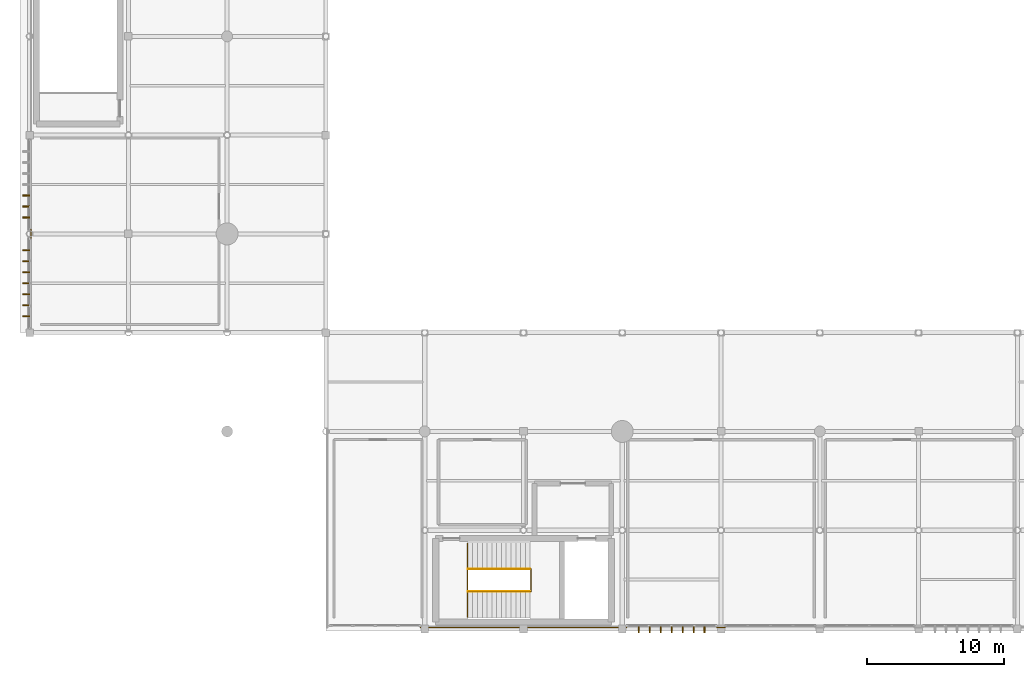
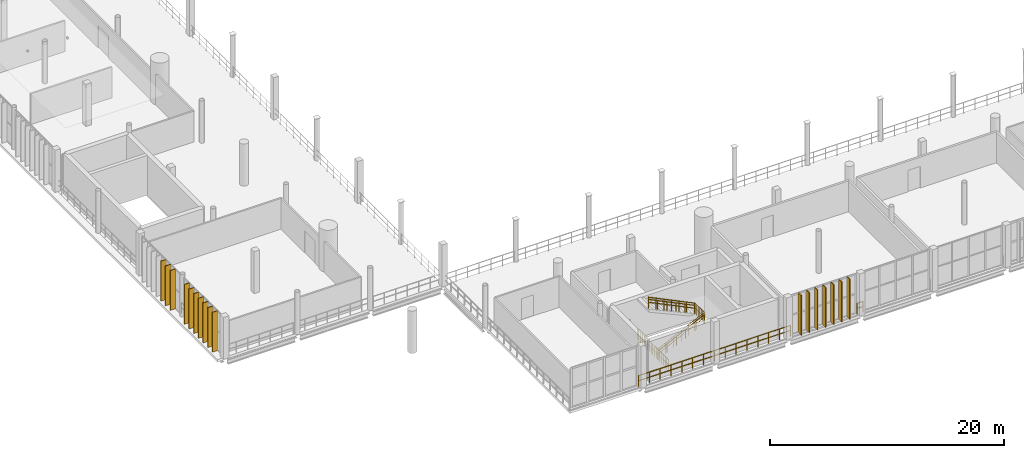
# One storey, part 67 of 81: 17 coverings, 9 railings.
"""IFC4 building model written with IfcOpenShell, lengths in metres."""

from ifc_helpers import new_model, si_unit, direction, frame, origin, origin_2d, place, context, subcontext, project, spatial, rectangle, circle, extrude, material, layer, layer_set, type_object, element, save


model = new_model("IFC4")

# Units and contexts
model_context = context("Model", 3, precision=1e-05, world=origin(), true_north=direction((0.0, 1.0)))
body_context = subcontext(model_context, "Body", "Model", "MODEL_VIEW")
ifc_project = project(units=[si_unit("LENGTHUNIT", "METRE"), si_unit("AREAUNIT", "SQUARE_METRE"), si_unit("VOLUMEUNIT", "CUBIC_METRE"), si_unit("PLANEANGLEUNIT", "RADIAN"), si_unit("MASSUNIT", "GRAM", prefix="KILO")], contexts=[model_context])

# Site, building, storey
site_placement = place(None, origin())
site = spatial("IfcSite", under=ifc_project, at=site_placement, CompositionType="ELEMENT")
building_placement = place(site_placement, origin())
building = spatial("IfcBuilding", under=site, at=building_placement, Name="Qandorah Velis Arena", CompositionType="ELEMENT")
storey_placement = place(building_placement, frame((0.0, 0.0, 18.60009765625)))
storey = spatial("IfcBuildingStorey", under=building, at=storey_placement, Name="L04", CompositionType="ELEMENT", Elevation=18.60009765625)

# Coverings
ifc_material_1 = material(Name="Champagne-bronze anodized aluminium 6063-T6", Category="aluminium")
ifc_layer = layer(ifc_material_1, 0.0849609375)
ifc_layer_set = layer_set([ifc_layer], Name="Champagne-bronze anodized aluminium 6063-T6")
covering_type = type_object("IfcCoveringType", Name="ARC-COV-FIN520", PredefinedType="CLADDING", material=ifc_layer_set)
for number, where, z_axis, x_axis, name in (
    (1, (-0.251953125, 22.800048828125, -0.010009765625), (0.0, 0.0, 1.0), (1.0, 0.0, 0.0), "Vertical champagne-bronze solar fin blade WNG-W-L04-03-001"),
    (2, (-0.251953125, 23.60009765625, -0.010009765625), (0.0, 0.0, 1.0), (1.0, 0.0, 0.0), "Vertical champagne-bronze solar fin blade WNG-W-L04-03-002"),
    (3, (-0.251953125, 24.39990234375, -0.010009765625), (0.0, 0.0, 1.0), (1.0, 0.0, 0.0), "Vertical champagne-bronze solar fin blade WNG-W-L04-03-003"),
    (4, (-0.251953125, 25.199951171875, -0.010009765625), (0.0, 0.0, 1.0), (1.0, 0.0, 0.0), "Vertical champagne-bronze solar fin blade WNG-W-L04-03-004"),
    (5, (-0.251953125, 26.0, -0.010009765625), (0.0, 0.0, 1.0), (1.0, 0.0, 0.0), "Vertical champagne-bronze solar fin blade WNG-W-L04-03-005"),
    (6, (-0.251953125, 26.800048828125, -0.010009765625), (0.0, 0.0, 1.0), (1.0, 0.0, 0.0), "Vertical champagne-bronze solar fin blade WNG-W-L04-03-006"),
    (7, (-0.251953125, 27.60009765625, -0.010009765625), (0.0, 0.0, 1.0), (1.0, 0.0, 0.0), "Vertical champagne-bronze solar fin blade WNG-W-L04-03-007"),
    (8, (-0.251953125, 30.0, -0.010009765625), (0.0, 0.0, 1.0), (1.0, 0.0, 0.0), "Vertical champagne-bronze solar fin blade WNG-W-L04-04-001"),
    (9, (-0.251953125, 30.800048828125, -0.010009765625), (0.0, 0.0, 1.0), (1.0, 0.0, 0.0), "Vertical champagne-bronze solar fin blade WNG-W-L04-04-002"),
    (10, (-0.251953125, 31.60009765625, -0.010009765625), (0.0, 0.0, 1.0), (1.0, 0.0, 0.0), "Vertical champagne-bronze solar fin blade WNG-W-L04-04-003"),
):
    element("IfcCovering", number, at=place(storey_placement, frame(where, z_axis=z_axis, x_axis=x_axis)), inside=storey, type_object=covering_type, Name=name, PredefinedType="CLADDING", context=body_context, shape_type="SweptSolid", body=[
        extrude(rectangle(XDim=0.52001953125, YDim=0.0849609375, at=origin_2d()), origin(), (0.0, 0.0, 1.0), 4.169921875),
    ])
for number, where, z_axis, x_axis, name in (
    (11, (44.39990234375, -0.001953125, -0.010009765625), (0.0, 0.0, 1.0), (1.0, 0.0, 0.0), "Vertical champagne-bronze solar fin blade WNG-S-L04-06-001"),
    (12, (45.199951171875, -0.001953125, -0.010009765625), (0.0, 0.0, 1.0), (1.0, 0.0, 0.0), "Vertical champagne-bronze solar fin blade WNG-S-L04-06-002"),
    (13, (46.0, -0.001953125, -0.010009765625), (0.0, 0.0, 1.0), (1.0, 0.0, 0.0), "Vertical champagne-bronze solar fin blade WNG-S-L04-06-003"),
    (14, (46.800048828125, -0.001953125, -0.010009765625), (0.0, 0.0, 1.0), (1.0, 0.0, 0.0), "Vertical champagne-bronze solar fin blade WNG-S-L04-06-004"),
    (15, (47.60009765625, -0.001953125, -0.010009765625), (0.0, 0.0, 1.0), (1.0, 0.0, 0.0), "Vertical champagne-bronze solar fin blade WNG-S-L04-06-005"),
    (16, (48.39990234375, -0.001953125, -0.010009765625), (0.0, 0.0, 1.0), (1.0, 0.0, 0.0), "Vertical champagne-bronze solar fin blade WNG-S-L04-06-006"),
    (17, (49.199951171875, -0.001953125, -0.010009765625), (0.0, 0.0, 1.0), (1.0, 0.0, 0.0), "Vertical champagne-bronze solar fin blade WNG-S-L04-06-007"),
):
    element("IfcCovering", number, at=place(storey_placement, frame(where, z_axis=z_axis, x_axis=x_axis)), inside=storey, type_object=covering_type, Name=name, PredefinedType="CLADDING", context=body_context, shape_type="SweptSolid", body=[
        extrude(rectangle(XDim=0.0849609375, YDim=0.52001953125, at=origin_2d()), origin(), (0.0, 0.0, 1.0), 4.169921875),
    ])

# Railings
ifc_material_2 = material(Name="Stainless steel 316", Category="steel")
railing_type_1 = type_object("IfcRailingType", Name="ARC-RL-GRD1150", PredefinedType="GUARDRAIL", material=ifc_material_2)
railing_1_placement = place(storey_placement, frame((31.909912109375, 0.860107421875, 0.0)))
element("IfcRailing", 18, at=railing_1_placement, inside=storey, type_object=railing_type_1, Name="Stair ST1 landing well-slot guardrail L04", PredefinedType="GUARDRAIL", context=body_context, shape_type="SweptSolid", body=[
    extrude(circle(Radius=0.02392578125, at=origin_2d()), frame((0.0, 0.0, 1.1259765625), z_axis=(0.0, 1.0, 0.0), x_axis=(-1.0, 0.0, 0.0)), (0.0, 0.0, 1.0), 5.3798828125),
    extrude(circle(Radius=0.02392578125, at=origin_2d()), frame((0.0, 0.0, 0.597900390625), z_axis=(0.0, 1.0, 0.0), x_axis=(-1.0, 0.0, 0.0)), (0.0, 0.0, 1.0), 5.3798828125),
    extrude(circle(Radius=0.02099609375, at=origin_2d()), origin(), (0.0, 0.0, 1.0), 1.101806640625),
    extrude(circle(Radius=0.02099609375, at=origin_2d()), frame((0.0, 0.298828125, 0.0)), (0.0, 0.0, 1.0), 1.101806640625),
    extrude(circle(Radius=0.02099609375, at=origin_2d()), frame((0.0, 0.59765625, 0.0)), (0.0, 0.0, 1.0), 1.101806640625),
    extrude(circle(Radius=0.02099609375, at=origin_2d()), frame((0.0, 0.896728515625, 0.0)), (0.0, 0.0, 1.0), 1.101806640625),
    extrude(circle(Radius=0.02099609375, at=origin_2d()), frame((0.0, 1.195556640625, 0.0)), (0.0, 0.0, 1.0), 1.101806640625),
    extrude(circle(Radius=0.02099609375, at=origin_2d()), frame((0.0, 1.494384765625, 0.0)), (0.0, 0.0, 1.0), 1.101806640625),
    extrude(circle(Radius=0.02099609375, at=origin_2d()), frame((0.0, 1.793212890625, 0.0)), (0.0, 0.0, 1.0), 1.101806640625),
    extrude(circle(Radius=0.02099609375, at=origin_2d()), frame((0.0, 2.09228515625, 0.0)), (0.0, 0.0, 1.0), 1.101806640625),
    extrude(circle(Radius=0.02099609375, at=origin_2d()), frame((0.0, 2.39111328125, 0.0)), (0.0, 0.0, 1.0), 1.101806640625),
    extrude(circle(Radius=0.02099609375, at=origin_2d()), frame((0.0, 2.68994140625, 0.0)), (0.0, 0.0, 1.0), 1.101806640625),
    extrude(circle(Radius=0.02099609375, at=origin_2d()), frame((0.0, 2.98876953125, 0.0)), (0.0, 0.0, 1.0), 1.101806640625),
    extrude(circle(Radius=0.02099609375, at=origin_2d()), frame((0.0, 3.28759765625, 0.0)), (0.0, 0.0, 1.0), 1.101806640625),
    extrude(circle(Radius=0.02099609375, at=origin_2d()), frame((0.0, 3.586669921875, 0.0)), (0.0, 0.0, 1.0), 1.101806640625),
    extrude(circle(Radius=0.02099609375, at=origin_2d()), frame((0.0, 3.885498046875, 0.0)), (0.0, 0.0, 1.0), 1.101806640625),
    extrude(circle(Radius=0.02099609375, at=origin_2d()), frame((0.0, 4.184326171875, 0.0)), (0.0, 0.0, 1.0), 1.101806640625),
    extrude(circle(Radius=0.02099609375, at=origin_2d()), frame((0.0, 4.483154296875, 0.0)), (0.0, 0.0, 1.0), 1.101806640625),
    extrude(circle(Radius=0.02099609375, at=origin_2d()), frame((0.0, 4.7822265625, 0.0)), (0.0, 0.0, 1.0), 1.101806640625),
    extrude(circle(Radius=0.02099609375, at=origin_2d()), frame((0.0, 5.0810546875, 0.0)), (0.0, 0.0, 1.0), 1.101806640625),
    extrude(circle(Radius=0.02099609375, at=origin_2d()), frame((0.0, 5.3798828125, 0.0)), (0.0, 0.0, 1.0), 1.101806640625),
])
railing_2_placement = place(storey_placement, frame((36.5458984375, 2.739990234375, 2.199951171875)))
element("IfcRailing", 19, at=railing_2_placement, inside=storey, type_object=railing_type_1, Name="Stair ST1 well guardrail (L04)", PredefinedType="GUARDRAIL", context=body_context, shape_type="SweptSolid", body=[
    extrude(circle(Radius=0.02392578125, at=origin_2d()), frame((0.0, 0.0, 1.1259765625), z_axis=(0.0, 1.0, 0.0), x_axis=(-1.0, 0.0, 0.0)), (0.0, 0.0, 1.0), 1.6201171875),
    extrude(circle(Radius=0.02392578125, at=origin_2d()), frame((0.0, 0.0, 0.597900390625), z_axis=(0.0, 1.0, 0.0), x_axis=(-1.0, 0.0, 0.0)), (0.0, 0.0, 1.0), 1.6201171875),
    extrude(circle(Radius=0.02099609375, at=origin_2d()), origin(), (0.0, 0.0, 1.0), 1.101806640625),
    extrude(circle(Radius=0.02099609375, at=origin_2d()), frame((0.0, 0.27001953125, 0.0)), (0.0, 0.0, 1.0), 1.101806640625),
    extrude(circle(Radius=0.02099609375, at=origin_2d()), frame((0.0, 0.5400390625, 0.0)), (0.0, 0.0, 1.0), 1.101806640625),
    extrude(circle(Radius=0.02099609375, at=origin_2d()), frame((0.0, 0.81005859375, 0.0)), (0.0, 0.0, 1.0), 1.101806640625),
    extrude(circle(Radius=0.02099609375, at=origin_2d()), frame((0.0, 1.080078125, 0.0)), (0.0, 0.0, 1.0), 1.101806640625),
    extrude(circle(Radius=0.02099609375, at=origin_2d()), frame((0.0, 1.35009765625, 0.0)), (0.0, 0.0, 1.0), 1.101806640625),
    extrude(circle(Radius=0.02099609375, at=origin_2d()), frame((0.0, 1.6201171875, 0.0)), (0.0, 0.0, 1.0), 1.101806640625),
])
railing_3_placement = place(storey_placement, frame((31.949951171875, 2.72998046875, 0.0)))
element("IfcRailing", 20, at=railing_3_placement, inside=storey, type_object=railing_type_1, Name="Stair ST1 inner flight 1 guardrail (L04)", PredefinedType="GUARDRAIL", context=body_context, shape_type="SweptSolid", body=[
    extrude(circle(Radius=0.02392578125, at=origin_2d()), frame((0.0, 0.0, 1.1259765625), z_axis=(0.899766287272, 0.0, 0.436372121346), x_axis=(0.0, 1.0, 0.0)), (0.0, 0.0, 1.0), 5.04150390625),
    extrude(circle(Radius=0.02392578125, at=origin_2d()), frame((0.0, 0.0, 0.597900390625), z_axis=(0.899766287272, 0.0, 0.436372121346), x_axis=(0.0, 1.0, 0.0)), (0.0, 0.0, 1.0), 5.04150390625),
    extrude(circle(Radius=0.02099609375, at=origin_2d()), origin(), (0.0, 0.0, 1.0), 1.101806640625),
    extrude(circle(Radius=0.02099609375, at=origin_2d()), frame((0.756103515625, 0.0, 0.36669921875)), (0.0, 0.0, 1.0), 1.101806640625),
    extrude(circle(Radius=0.02099609375, at=origin_2d()), frame((1.511962890625, 0.0, 0.7333984375)), (0.0, 0.0, 1.0), 1.101806640625),
    extrude(circle(Radius=0.02099609375, at=origin_2d()), frame((2.26806640625, 0.0, 1.10009765625)), (0.0, 0.0, 1.0), 1.101806640625),
    extrude(circle(Radius=0.02099609375, at=origin_2d()), frame((3.024169921875, 0.0, 1.466552734375)), (0.0, 0.0, 1.0), 1.101806640625),
    extrude(circle(Radius=0.02099609375, at=origin_2d()), frame((3.780029296875, 0.0, 1.833251953125)), (0.0, 0.0, 1.0), 1.101806640625),
    extrude(circle(Radius=0.02099609375, at=origin_2d()), frame((4.5361328125, 0.0, 2.199951171875)), (0.0, 0.0, 1.0), 1.101806640625),
])
railing_4_placement = place(storey_placement, frame((36.486083984375, 4.3701171875, 2.199951171875)))
element("IfcRailing", 21, at=railing_4_placement, inside=storey, type_object=railing_type_1, Name="Stair ST1 inner flight 2 guardrail (L04)", PredefinedType="GUARDRAIL", context=body_context, shape_type="SweptSolid", body=[
    extrude(circle(Radius=0.02392578125, at=origin_2d()), frame((0.0, 0.0, 1.1259765625), z_axis=(-0.899766287272, 0.0, 0.436372121346), x_axis=(0.0, -1.0, 0.0)), (0.0, 0.0, 1.0), 5.04150390625),
    extrude(circle(Radius=0.02392578125, at=origin_2d()), frame((0.0, 0.0, 0.597900390625), z_axis=(-0.899766287272, 0.0, 0.436372121346), x_axis=(0.0, -1.0, 0.0)), (0.0, 0.0, 1.0), 5.04150390625),
    extrude(circle(Radius=0.02099609375, at=origin_2d()), origin(), (0.0, 0.0, 1.0), 1.101806640625),
    extrude(circle(Radius=0.02099609375, at=origin_2d()), frame((-0.756103515625, 0.0, 0.36669921875)), (0.0, 0.0, 1.0), 1.101806640625),
    extrude(circle(Radius=0.02099609375, at=origin_2d()), frame((-1.511962890625, 0.0, 0.7333984375)), (0.0, 0.0, 1.0), 1.101806640625),
    extrude(circle(Radius=0.02099609375, at=origin_2d()), frame((-2.26806640625, 0.0, 1.10009765625)), (0.0, 0.0, 1.0), 1.101806640625),
    extrude(circle(Radius=0.02099609375, at=origin_2d()), frame((-3.024169921875, 0.0, 1.466552734375)), (0.0, 0.0, 1.0), 1.101806640625),
    extrude(circle(Radius=0.02099609375, at=origin_2d()), frame((-3.780029296875, 0.0, 1.833251953125)), (0.0, 0.0, 1.0), 1.101806640625),
    extrude(circle(Radius=0.02099609375, at=origin_2d()), frame((-4.5361328125, 0.0, 2.199951171875)), (0.0, 0.0, 1.0), 1.101806640625),
])
railing_5_placement = place(storey_placement, frame((50.699951171875, 0.10009765625, 0.0)))
element("IfcRailing", 22, at=railing_5_placement, inside=storey, type_object=railing_type_1, Name="Slab edge safety guardrail L04-229", PredefinedType="GUARDRAIL", context=body_context, shape_type="SweptSolid", body=[
    extrude(circle(Radius=0.02392578125, at=origin_2d()), frame((0.0, 0.0, 1.1259765625), z_axis=(-1.0, 0.0, 0.0), x_axis=(0.0, -1.0, 0.0)), (0.0, 0.0, 1.0), 0.599853515625),
    extrude(circle(Radius=0.02392578125, at=origin_2d()), frame((0.0, 0.0, 0.597900390625), z_axis=(-1.0, 0.0, 0.0), x_axis=(0.0, -1.0, 0.0)), (0.0, 0.0, 1.0), 0.599853515625),
    extrude(circle(Radius=0.02099609375, at=origin_2d()), origin(), (0.0, 0.0, 1.0), 1.101806640625),
    extrude(circle(Radius=0.02099609375, at=origin_2d()), frame((-0.599853515625, 0.0, 0.0)), (0.0, 0.0, 1.0), 1.101806640625),
])
railing_6_placement = place(storey_placement, frame((43.5, 0.10009765625, 0.0)))
element("IfcRailing", 23, at=railing_6_placement, inside=storey, type_object=railing_type_1, Name="Slab edge safety guardrail L04-230", PredefinedType="GUARDRAIL", context=body_context, shape_type="SweptSolid", body=[
    extrude(circle(Radius=0.02392578125, at=origin_2d()), frame((0.0, 0.0, 1.1259765625), z_axis=(-1.0, 0.0, 0.0), x_axis=(0.0, -1.0, 0.0)), (0.0, 0.0, 1.0), 15.0),
    extrude(circle(Radius=0.02392578125, at=origin_2d()), frame((0.0, 0.0, 0.597900390625), z_axis=(-1.0, 0.0, 0.0), x_axis=(0.0, -1.0, 0.0)), (0.0, 0.0, 1.0), 15.0),
    extrude(circle(Radius=0.02099609375, at=origin_2d()), origin(), (0.0, 0.0, 1.0), 1.101806640625),
    extrude(circle(Radius=0.02099609375, at=origin_2d()), frame((-1.071533203125, 0.0, 0.0)), (0.0, 0.0, 1.0), 1.101806640625),
    extrude(circle(Radius=0.02099609375, at=origin_2d()), frame((-2.142822265625, 0.0, 0.0)), (0.0, 0.0, 1.0), 1.101806640625),
    extrude(circle(Radius=0.02099609375, at=origin_2d()), frame((-3.21435546875, 0.0, 0.0)), (0.0, 0.0, 1.0), 1.101806640625),
    extrude(circle(Radius=0.02099609375, at=origin_2d()), frame((-4.28564453125, 0.0, 0.0)), (0.0, 0.0, 1.0), 1.101806640625),
    extrude(circle(Radius=0.02099609375, at=origin_2d()), frame((-5.357177734375, 0.0, 0.0)), (0.0, 0.0, 1.0), 1.101806640625),
    extrude(circle(Radius=0.02099609375, at=origin_2d()), frame((-6.428466796875, 0.0, 0.0)), (0.0, 0.0, 1.0), 1.101806640625),
    extrude(circle(Radius=0.02099609375, at=origin_2d()), frame((-7.5, 0.0, 0.0)), (0.0, 0.0, 1.0), 1.101806640625),
    extrude(circle(Radius=0.02099609375, at=origin_2d()), frame((-8.571533203125, 0.0, 0.0)), (0.0, 0.0, 1.0), 1.101806640625),
    extrude(circle(Radius=0.02099609375, at=origin_2d()), frame((-9.642822265625, 0.0, 0.0)), (0.0, 0.0, 1.0), 1.101806640625),
    extrude(circle(Radius=0.02099609375, at=origin_2d()), frame((-10.71435546875, 0.0, 0.0)), (0.0, 0.0, 1.0), 1.101806640625),
    extrude(circle(Radius=0.02099609375, at=origin_2d()), frame((-11.78564453125, 0.0, 0.0)), (0.0, 0.0, 1.0), 1.101806640625),
    extrude(circle(Radius=0.02099609375, at=origin_2d()), frame((-12.857177734375, 0.0, 0.0)), (0.0, 0.0, 1.0), 1.101806640625),
    extrude(circle(Radius=0.02099609375, at=origin_2d()), frame((-13.928466796875, 0.0, 0.0)), (0.0, 0.0, 1.0), 1.101806640625),
    extrude(circle(Radius=0.02099609375, at=origin_2d()), frame((-15.0, 0.0, 0.0)), (0.0, 0.0, 1.0), 1.101806640625),
])
railing_7_placement = place(storey_placement, frame((0.10009765625, 28.5, 0.0)))
element("IfcRailing", 24, at=railing_7_placement, inside=storey, type_object=railing_type_1, Name="Slab edge safety guardrail L04-239", PredefinedType="GUARDRAIL", context=body_context, shape_type="SweptSolid", body=[
    extrude(circle(Radius=0.02392578125, at=origin_2d()), frame((0.0, 0.0, 1.1259765625), z_axis=(0.0, 1.0, 0.0), x_axis=(-1.0, 0.0, 0.0)), (0.0, 0.0, 1.0), 0.60009765625),
    extrude(circle(Radius=0.02392578125, at=origin_2d()), frame((0.0, 0.0, 0.597900390625), z_axis=(0.0, 1.0, 0.0), x_axis=(-1.0, 0.0, 0.0)), (0.0, 0.0, 1.0), 0.60009765625),
    extrude(circle(Radius=0.02099609375, at=origin_2d()), origin(), (0.0, 0.0, 1.0), 1.101806640625),
    extrude(circle(Radius=0.02099609375, at=origin_2d()), frame((0.0, 0.60009765625, 0.0)), (0.0, 0.0, 1.0), 1.101806640625),
])
railing_type_2 = type_object("IfcRailingType", Name="ARC-RL-HND920", PredefinedType="HANDRAIL", material=ifc_material_2)
railing_8_placement = place(storey_placement, frame((31.949951171875, 2.72998046875, 0.0)))
element("IfcRailing", 25, at=railing_8_placement, inside=storey, type_object=railing_type_2, Name="Stair ST1 inner handrail 1 (L04)", PredefinedType="HANDRAIL", context=body_context, shape_type="SweptSolid", body=[
    extrude(circle(Radius=0.02392578125, at=origin_2d()), frame((0.0, 0.0, 0.89599609375), z_axis=(0.899766287272, 0.0, 0.436372121346), x_axis=(0.0, 1.0, 0.0)), (0.0, 0.0, 1.0), 5.04150390625),
    extrude(circle(Radius=0.02099609375, at=origin_2d()), origin(), (0.0, 0.0, 1.0), 0.871826171875),
    extrude(circle(Radius=0.02099609375, at=origin_2d()), frame((0.9072265625, 0.0, 0.43994140625)), (0.0, 0.0, 1.0), 0.871826171875),
    extrude(circle(Radius=0.02099609375, at=origin_2d()), frame((1.814453125, 0.0, 0.8798828125)), (0.0, 0.0, 1.0), 0.871826171875),
    extrude(circle(Radius=0.02099609375, at=origin_2d()), frame((2.7216796875, 0.0, 1.320068359375)), (0.0, 0.0, 1.0), 0.871826171875),
    extrude(circle(Radius=0.02099609375, at=origin_2d()), frame((3.62890625, 0.0, 1.760009765625)), (0.0, 0.0, 1.0), 0.871826171875),
    extrude(circle(Radius=0.02099609375, at=origin_2d()), frame((4.5361328125, 0.0, 2.199951171875)), (0.0, 0.0, 1.0), 0.871826171875),
])
railing_9_placement = place(storey_placement, frame((36.486083984375, 4.3701171875, 2.199951171875)))
element("IfcRailing", 26, at=railing_9_placement, inside=storey, type_object=railing_type_2, Name="Stair ST1 inner handrail 2 (L04)", PredefinedType="HANDRAIL", context=body_context, shape_type="SweptSolid", body=[
    extrude(circle(Radius=0.02392578125, at=origin_2d()), frame((0.0, 0.0, 0.89599609375), z_axis=(-0.899766287272, 0.0, 0.436372121346), x_axis=(0.0, -1.0, 0.0)), (0.0, 0.0, 1.0), 5.04150390625),
    extrude(circle(Radius=0.02099609375, at=origin_2d()), origin(), (0.0, 0.0, 1.0), 0.871826171875),
    extrude(circle(Radius=0.02099609375, at=origin_2d()), frame((-0.9072265625, 0.0, 0.43994140625)), (0.0, 0.0, 1.0), 0.871826171875),
    extrude(circle(Radius=0.02099609375, at=origin_2d()), frame((-1.814453125, 0.0, 0.8798828125)), (0.0, 0.0, 1.0), 0.871826171875),
    extrude(circle(Radius=0.02099609375, at=origin_2d()), frame((-2.7216796875, 0.0, 1.320068359375)), (0.0, 0.0, 1.0), 0.871826171875),
    extrude(circle(Radius=0.02099609375, at=origin_2d()), frame((-3.62890625, 0.0, 1.760009765625)), (0.0, 0.0, 1.0), 0.871826171875),
    extrude(circle(Radius=0.02099609375, at=origin_2d()), frame((-4.5361328125, 0.0, 2.199951171875)), (0.0, 0.0, 1.0), 0.871826171875),
])

save(model, "model.ifc")
